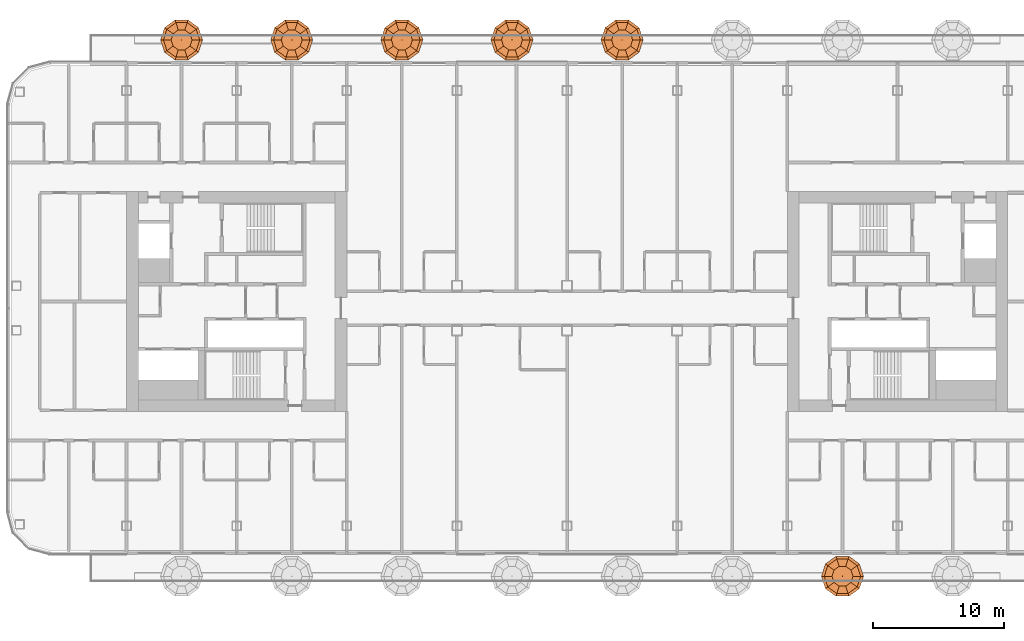
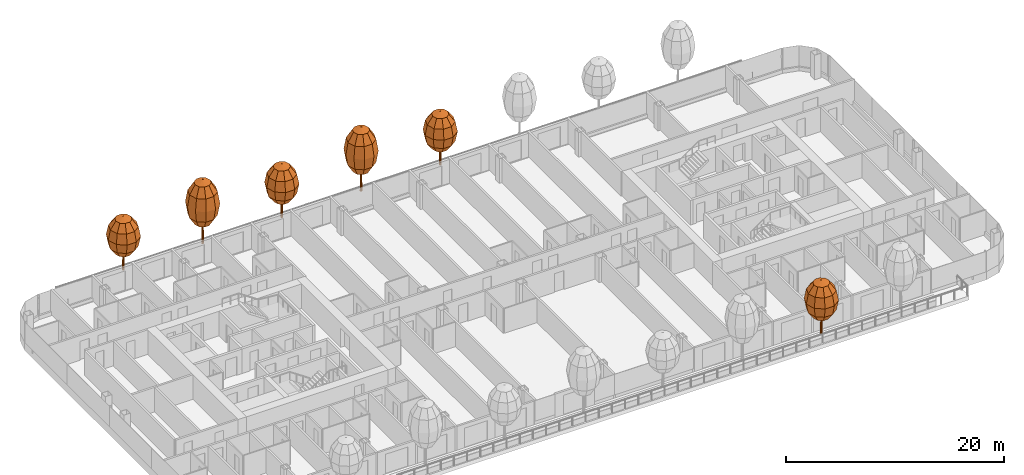
# One storey, part 31 of 32: 6 geographic elements.
"""IFC4 building model written with IfcOpenShell, lengths in metres."""

import ifcopenshell
import ifcopenshell.guid

model = None  # the IFC model being written
_history = None  # IfcOwnerHistory: only IFC2X3 demands one
_inside = {}  # id of a spatial element -> (the spatial element, [elements in it])
_under = {}  # id of a project, library or spatial element -> (it, [spatial elements below it])
_declared = {}  # id of a project -> (the project, [libraries it declares])
_typed = {}  # id of a type object -> (the type object, [elements of that type])
_made_of = {}  # id of a material, layer set ... -> (it, [elements and type objects made of it])


def new_model(schema):
    """Start an empty IFC model of exactly this schema.

    Asked for "IFC4X3", IfcOpenShell would pick the latest addendum, in which some entities
    have other attributes; the version numbers below select the first issue.
    IFC2X3 requires an IfcOwnerHistory on every rooted entity: one is made here for all.
    """
    global model, _history
    if schema == "IFC4X3":
        model = ifcopenshell.file(schema_version=(4, 3, 0, 0))
    else:
        model = ifcopenshell.file(schema=schema)
    _inside.clear()
    _under.clear()
    _declared.clear()
    _typed.clear()
    _made_of.clear()
    _history = None
    if model.schema == "IFC2X3":
        org = make("IfcOrganization", Name="unknown")
        user = make(
            "IfcPersonAndOrganization",
            ThePerson=make("IfcPerson", FamilyName="unknown"),
            TheOrganization=org,
        )
        app = make(
            "IfcApplication",
            ApplicationDeveloper=org,
            Version="unknown",
            ApplicationFullName="unknown",
            ApplicationIdentifier="unknown",
        )
        _history = make(
            "IfcOwnerHistory",
            OwningUser=user,
            OwningApplication=app,
            ChangeAction="ADDED",
            CreationDate=0,
        )
    return model


def make(cls, **values):
    """One entity of the class cls with the attributes given. An attribute that is None is left unset."""
    return model.create_entity(
        cls, **{name: value for name, value in values.items() if value is not None}
    )


def rooted(cls, **values):
    """An entity with a GlobalId (a new one), such as an element, a storey or a relation."""
    return make(cls, GlobalId=ifcopenshell.guid.new(), OwnerHistory=_history, **values)


def si_unit(unit_type, name, prefix=None):
    """IfcSIUnit, for example si_unit("LENGTHUNIT", "METRE", prefix="MILLI")."""
    return make("IfcSIUnit", UnitType=unit_type, Prefix=prefix, Name=name)


def assignment(units):
    """IfcUnitAssignment: the units of a project."""
    return None if units is None else make("IfcUnitAssignment", Units=units)


def point(xyz):
    """IfcCartesianPoint."""
    return None if xyz is None else make("IfcCartesianPoint", Coordinates=xyz)


def direction(xyz):
    """IfcDirection."""
    return None if xyz is None else make("IfcDirection", DirectionRatios=xyz)


def frame(location, z_axis=None, x_axis=None):
    """IfcAxis2Placement3D, a coordinate frame: its origin and axes. An axis left out is left unset."""
    return make(
        "IfcAxis2Placement3D",
        Location=point(location),
        Axis=direction(z_axis),
        RefDirection=direction(x_axis),
    )


def origin():
    """The frame at (0, 0, 0) with its axes left unset."""
    return frame((0.0, 0.0, 0.0))


def place(relative_to, where):
    """IfcLocalPlacement: puts the frame where relative to a parent placement (None: the world)."""
    return make(
        "IfcLocalPlacement", PlacementRelTo=relative_to, RelativePlacement=where
    )


def context(
    kind, dimensions, precision=None, world=None, true_north=None, identifier=None
):
    """IfcGeometricRepresentationContext, for example the 3D "Model" context."""
    return make(
        "IfcGeometricRepresentationContext",
        ContextIdentifier=identifier,
        ContextType=kind,
        CoordinateSpaceDimension=dimensions,
        Precision=precision,
        WorldCoordinateSystem=world,
        TrueNorth=true_north,
    )


def subcontext(parent, identifier, kind, view, scale=None):
    """IfcGeometricRepresentationSubContext, for example "Body" below "Model"."""
    return make(
        "IfcGeometricRepresentationSubContext",
        ContextIdentifier=identifier,
        ContextType=kind,
        ParentContext=parent,
        TargetScale=scale,
        TargetView=view,
    )


def project(units=None, contexts=None):
    """IfcProject with its units and contexts."""
    return rooted(
        "IfcProject",
        Name="project",
        RepresentationContexts=contexts,
        UnitsInContext=assignment(units),
    )


def spatial(cls, under=None, at=None, **own):
    """A site, building, storey or space (cls), placed at a placement, below another one or the project."""
    s = rooted(cls, ObjectPlacement=at, **own)
    if under is not None:
        _under.setdefault(under.id(), (under, []))[1].append(s)
    return s


def point_list(points):
    """IfcCartesianPointList2D or 3D."""
    cls = (
        "IfcCartesianPointList2D" if len(points[0]) == 2 else "IfcCartesianPointList3D"
    )
    return make(cls, CoordList=points)


def triangles(points, corners, closed=None, point_numbers=None):
    """IfcTriangulatedFaceSet: each triangle names its three corners, points numbered from 1."""
    return make(
        "IfcTriangulatedFaceSet",
        Coordinates=point_list(points),
        Closed=closed,
        CoordIndex=corners,
        PnIndex=point_numbers,
    )


def shape(context_of_items, identifier, shape_type, items):
    """IfcShapeRepresentation: the items that make up one representation, for example the "Body"."""
    return make(
        "IfcShapeRepresentation",
        ContextOfItems=context_of_items,
        RepresentationIdentifier=identifier,
        RepresentationType=shape_type,
        Items=items,
    )


def material(Name=None, Category=None):
    """IfcMaterial."""
    return make("IfcMaterial", Name=Name, Category=Category)


def made_of(thing, what):
    """Note that an element or type object is made of a material, layer set ...; save() writes the relation."""
    if what is not None:
        _made_of.setdefault(what.id(), (what, []))[1].append(thing)
    return thing


def type_object(cls, material=None, **own):
    """A type object (cls), such as IfcWallType, which elements share."""
    return made_of(rooted(cls, **own), material)


def element(
    cls,
    number,
    at=None,
    inside=None,
    cuts=None,
    type_object=None,
    material=None,
    context=None,
    identifier="Body",
    shape_type=None,
    held_by="IfcProductDefinitionShape",
    body=None,
    shapes=None,
    **own,
):
    """One element of the class cls, such as IfcWall. Its Tag is "e" and its number.

    at: its placement. inside: the storey or other place that contains it. cuts: it is an
    opening in that element (IfcRelVoidsElement). A single representation is given by context,
    identifier, shape_type and body (its items); several are given by shapes. held_by: the class
    of the entity that holds the representations. save() writes the other relations.
    """
    e = rooted(cls, Tag="e%d" % number, ObjectPlacement=at, **own)
    if body is not None:
        shapes = [shape(context, identifier, shape_type, body)]
    if shapes is not None:
        e.Representation = make(held_by, Representations=shapes)
    if inside is not None:
        _inside.setdefault(inside.id(), (inside, []))[1].append(e)
    if cuts is not None:
        rooted(
            "IfcRelVoidsElement", RelatingBuildingElement=cuts, RelatedOpeningElement=e
        )
    if type_object is not None:
        _typed.setdefault(type_object.id(), (type_object, []))[1].append(e)
    return made_of(e, material)


def aggregate(whole, parts):
    """IfcRelAggregates: a whole, such as a stair, and the parts it consists of."""
    return rooted("IfcRelAggregates", RelatingObject=whole, RelatedObjects=parts)


def save(model, path):
    """Write the relations noted so far, then the file.

    IfcRelAggregates (storeys below a building ...), IfcRelContainedInSpatialStructure (elements
    in a storey), IfcRelDefinesByType, IfcRelAssociatesMaterial and IfcRelDeclares: one each for
    every whole, place, type object, material and project.
    """
    for whole, parts in _under.values():
        aggregate(whole, parts)
    for where, things in _inside.values():
        rooted(
            "IfcRelContainedInSpatialStructure",
            RelatedElements=things,
            RelatingStructure=where,
        )
    for kind, things in _typed.values():
        rooted("IfcRelDefinesByType", RelatedObjects=things, RelatingType=kind)
    for what, things in _made_of.values():
        rooted("IfcRelAssociatesMaterial", RelatedObjects=things, RelatingMaterial=what)
    for by, libraries in _declared.values():
        rooted("IfcRelDeclares", RelatingContext=by, RelatedDefinitions=libraries)
    model.write(path)


model = new_model("IFC4")

# Units and contexts
model_context = context("Model", 3, precision=1e-05, world=origin(), true_north=direction((0.0, 1.0)))
body_context = subcontext(model_context, "Body", "Model", "MODEL_VIEW")
ifc_project = project(units=[si_unit("LENGTHUNIT", "METRE"), si_unit("AREAUNIT", "SQUARE_METRE"), si_unit("VOLUMEUNIT", "CUBIC_METRE"), si_unit("PLANEANGLEUNIT", "RADIAN"), si_unit("MASSUNIT", "GRAM", prefix="KILO")], contexts=[model_context])

# Site, building, storey
site_placement = place(None, origin())
site = spatial("IfcSite", under=ifc_project, at=site_placement, CompositionType="ELEMENT")
building_placement = place(site_placement, origin())
building = spatial("IfcBuilding", under=site, at=building_placement, Name="Hakoniwa Tower and Hamabe Station Hall", CompositionType="ELEMENT")
storey_placement = place(building_placement, frame((0.0, 0.0, 150.199951171875)))
storey = spatial("IfcBuildingStorey", under=building, at=storey_placement, Name="L42", CompositionType="ELEMENT", Elevation=150.199951171875)

# Geographic elements
ifc_material_1 = material(Name="Tree foliage")
geographic_element_type_1 = type_object("IfcGeographicElementType", Name="Japanese maple 7.2 m", PredefinedType="USERDEFINED", material=ifc_material_1)
geographic_element_1_placement = place(storey_placement, frame((-21.0, 19.949951171875, 0.900146484375)))
element("IfcGeographicElement", 1, at=geographic_element_1_placement, inside=storey, type_object=geographic_element_type_1, Name="Japanese maple 7-2 m", ObjectType="TREE", PredefinedType="USERDEFINED", context=body_context, shape_type="Tessellation", body=[
    triangles([(0.125, 0.0, 0.0), (0.08837890625, 0.08837890625, 0.0), (0.0, 0.125, 0.0), (-0.08837890625, 0.08837890625, 0.0), (-0.125, 0.0, 0.0), (-0.08837890625, -0.08837890625, 0.0), (0.0, -0.125, 0.0), (0.08837890625, -0.08837890625, 0.0), (0.074951171875, 0.0, 4.348876953125), (0.052978515625, 0.052978515625, 4.348876953125), (0.0, 0.074951171875, 4.348876953125), (-0.052978515625, 0.052978515625, 4.348876953125), (-0.074951171875, 0.0, 4.348876953125), (-0.052978515625, -0.052978515625, 4.348876953125), (0.0, -0.074951171875, 4.348876953125), (0.052978515625, -0.052978515625, 4.348876953125), (0.0, 0.0, 0.0), (0.0, 0.0, 4.348876953125)], [[1, 2, 10], [1, 10, 9], [17, 2, 1], [18, 9, 10], [2, 3, 11], [2, 11, 10], [17, 3, 2], [18, 10, 11], [3, 4, 12], [3, 12, 11], [17, 4, 3], [18, 11, 12], [4, 5, 13], [4, 13, 12], [17, 5, 4], [18, 12, 13], [5, 6, 14], [5, 14, 13], [17, 6, 5], [18, 13, 14], [6, 7, 15], [6, 15, 14], [17, 7, 6], [18, 14, 15], [7, 8, 16], [7, 16, 15], [17, 8, 7], [18, 15, 16], [8, 1, 9], [8, 9, 16], [17, 1, 8], [18, 16, 9]], closed=True),
    triangles([(0.0, 0.0, 2.015869140625), (0.800048828125, 0.0, 2.36328125), (0.647216796875, 0.47021484375, 2.36328125), (0.247314453125, 0.7607421875, 2.36328125), (-0.247314453125, 0.7607421875, 2.36328125), (-0.647216796875, 0.47021484375, 2.36328125), (-0.800048828125, 0.0, 2.36328125), (-0.647216796875, -0.47021484375, 2.36328125), (-0.247314453125, -0.7607421875, 2.36328125), (0.247314453125, -0.7607421875, 2.36328125), (0.647216796875, -0.47021484375, 2.36328125), (1.385498046875, 0.0, 3.31201171875), (1.12109375, 0.814453125, 3.31201171875), (0.42822265625, 1.31787109375, 3.31201171875), (-0.42822265625, 1.31787109375, 3.31201171875), (-1.12109375, 0.814453125, 3.31201171875), (-1.385498046875, 0.0, 3.31201171875), (-1.12109375, -0.814453125, 3.31201171875), (-0.42822265625, -1.31787109375, 3.31201171875), (0.42822265625, -1.31787109375, 3.31201171875), (1.12109375, -0.814453125, 3.31201171875), (1.60009765625, 0.0, 4.60791015625), (1.29443359375, 0.9404296875, 4.60791015625), (0.494384765625, 1.521728515625, 4.60791015625), (-0.494384765625, 1.521728515625, 4.60791015625), (-1.29443359375, 0.9404296875, 4.60791015625), (-1.60009765625, 0.0, 4.60791015625), (-1.29443359375, -0.9404296875, 4.60791015625), (-0.494384765625, -1.521728515625, 4.60791015625), (0.494384765625, -1.521728515625, 4.60791015625), (1.29443359375, -0.9404296875, 4.60791015625), (1.385498046875, 0.0, 5.904052734375), (1.12109375, 0.814453125, 5.904052734375), (0.42822265625, 1.31787109375, 5.904052734375), (-0.42822265625, 1.31787109375, 5.904052734375), (-1.12109375, 0.814453125, 5.904052734375), (-1.385498046875, 0.0, 5.904052734375), (-1.12109375, -0.814453125, 5.904052734375), (-0.42822265625, -1.31787109375, 5.904052734375), (0.42822265625, -1.31787109375, 5.904052734375), (1.12109375, -0.814453125, 5.904052734375), (0.800048828125, 0.0, 6.852783203125), (0.647216796875, 0.47021484375, 6.852783203125), (0.247314453125, 0.7607421875, 6.852783203125), (-0.247314453125, 0.7607421875, 6.852783203125), (-0.647216796875, 0.47021484375, 6.852783203125), (-0.800048828125, 0.0, 6.852783203125), (-0.647216796875, -0.47021484375, 6.852783203125), (-0.247314453125, -0.7607421875, 6.852783203125), (0.247314453125, -0.7607421875, 6.852783203125), (0.647216796875, -0.47021484375, 6.852783203125), (0.0, 0.0, 7.199951171875)], [[1, 3, 2], [1, 4, 3], [1, 5, 4], [1, 6, 5], [1, 7, 6], [1, 8, 7], [1, 9, 8], [1, 10, 9], [1, 11, 10], [1, 2, 11], [2, 3, 13], [2, 13, 12], [3, 4, 14], [3, 14, 13], [4, 5, 15], [4, 15, 14], [5, 6, 16], [5, 16, 15], [6, 7, 17], [6, 17, 16], [7, 8, 18], [7, 18, 17], [8, 9, 19], [8, 19, 18], [9, 10, 20], [9, 20, 19], [10, 11, 21], [10, 21, 20], [11, 2, 12], [11, 12, 21], [12, 13, 23], [12, 23, 22], [13, 14, 24], [13, 24, 23], [14, 15, 25], [14, 25, 24], [15, 16, 26], [15, 26, 25], [16, 17, 27], [16, 27, 26], [17, 18, 28], [17, 28, 27], [18, 19, 29], [18, 29, 28], [19, 20, 30], [19, 30, 29], [20, 21, 31], [20, 31, 30], [21, 12, 22], [21, 22, 31], [22, 23, 33], [22, 33, 32], [23, 24, 34], [23, 34, 33], [24, 25, 35], [24, 35, 34], [25, 26, 36], [25, 36, 35], [26, 27, 37], [26, 37, 36], [27, 28, 38], [27, 38, 37], [28, 29, 39], [28, 39, 38], [29, 30, 40], [29, 40, 39], [30, 31, 41], [30, 41, 40], [31, 22, 32], [31, 32, 41], [32, 33, 43], [32, 43, 42], [33, 34, 44], [33, 44, 43], [34, 35, 45], [34, 45, 44], [35, 36, 46], [35, 46, 45], [36, 37, 47], [36, 47, 46], [37, 38, 48], [37, 48, 47], [38, 39, 49], [38, 49, 48], [39, 40, 50], [39, 50, 49], [40, 41, 51], [40, 51, 50], [41, 32, 42], [41, 42, 51], [52, 42, 43], [52, 43, 44], [52, 44, 45], [52, 45, 46], [52, 46, 47], [52, 47, 48], [52, 48, 49], [52, 49, 50], [52, 50, 51], [52, 51, 42]], closed=True),
])
geographic_element_2_placement = place(storey_placement, frame((-4.199951171875, 19.949951171875, 0.900146484375)))
element("IfcGeographicElement", 2, at=geographic_element_2_placement, inside=storey, type_object=geographic_element_type_1, Name="Japanese maple 7-2 m", ObjectType="TREE", PredefinedType="USERDEFINED", context=body_context, shape_type="Tessellation", body=[
    triangles([(0.125, 0.0, 0.0), (0.08837890625, 0.08837890625, 0.0), (0.0, 0.125, 0.0), (-0.08837890625, 0.08837890625, 0.0), (-0.125, 0.0, 0.0), (-0.08837890625, -0.08837890625, 0.0), (0.0, -0.125, 0.0), (0.08837890625, -0.08837890625, 0.0), (0.074951171875, 0.0, 4.348876953125), (0.052978515625, 0.052978515625, 4.348876953125), (0.0, 0.074951171875, 4.348876953125), (-0.052978515625, 0.052978515625, 4.348876953125), (-0.074951171875, 0.0, 4.348876953125), (-0.052978515625, -0.052978515625, 4.348876953125), (0.0, -0.074951171875, 4.348876953125), (0.052978515625, -0.052978515625, 4.348876953125), (0.0, 0.0, 0.0), (0.0, 0.0, 4.348876953125)], [[1, 2, 10], [1, 10, 9], [17, 2, 1], [18, 9, 10], [2, 3, 11], [2, 11, 10], [17, 3, 2], [18, 10, 11], [3, 4, 12], [3, 12, 11], [17, 4, 3], [18, 11, 12], [4, 5, 13], [4, 13, 12], [17, 5, 4], [18, 12, 13], [5, 6, 14], [5, 14, 13], [17, 6, 5], [18, 13, 14], [6, 7, 15], [6, 15, 14], [17, 7, 6], [18, 14, 15], [7, 8, 16], [7, 16, 15], [17, 8, 7], [18, 15, 16], [8, 1, 9], [8, 9, 16], [17, 1, 8], [18, 16, 9]], closed=True),
    triangles([(0.0, 0.0, 2.015869140625), (0.800048828125, 0.0, 2.36328125), (0.647216796875, 0.47021484375, 2.36328125), (0.247314453125, 0.7607421875, 2.36328125), (-0.247314453125, 0.7607421875, 2.36328125), (-0.647216796875, 0.47021484375, 2.36328125), (-0.800048828125, 0.0, 2.36328125), (-0.647216796875, -0.47021484375, 2.36328125), (-0.247314453125, -0.7607421875, 2.36328125), (0.247314453125, -0.7607421875, 2.36328125), (0.647216796875, -0.47021484375, 2.36328125), (1.385498046875, 0.0, 3.31201171875), (1.12109375, 0.814453125, 3.31201171875), (0.42822265625, 1.31787109375, 3.31201171875), (-0.42822265625, 1.31787109375, 3.31201171875), (-1.12109375, 0.814453125, 3.31201171875), (-1.385498046875, 0.0, 3.31201171875), (-1.12109375, -0.814453125, 3.31201171875), (-0.42822265625, -1.31787109375, 3.31201171875), (0.42822265625, -1.31787109375, 3.31201171875), (1.12109375, -0.814453125, 3.31201171875), (1.60009765625, 0.0, 4.60791015625), (1.29443359375, 0.9404296875, 4.60791015625), (0.494384765625, 1.521728515625, 4.60791015625), (-0.494384765625, 1.521728515625, 4.60791015625), (-1.29443359375, 0.9404296875, 4.60791015625), (-1.60009765625, 0.0, 4.60791015625), (-1.29443359375, -0.9404296875, 4.60791015625), (-0.494384765625, -1.521728515625, 4.60791015625), (0.494384765625, -1.521728515625, 4.60791015625), (1.29443359375, -0.9404296875, 4.60791015625), (1.385498046875, 0.0, 5.904052734375), (1.12109375, 0.814453125, 5.904052734375), (0.42822265625, 1.31787109375, 5.904052734375), (-0.42822265625, 1.31787109375, 5.904052734375), (-1.12109375, 0.814453125, 5.904052734375), (-1.385498046875, 0.0, 5.904052734375), (-1.12109375, -0.814453125, 5.904052734375), (-0.42822265625, -1.31787109375, 5.904052734375), (0.42822265625, -1.31787109375, 5.904052734375), (1.12109375, -0.814453125, 5.904052734375), (0.800048828125, 0.0, 6.852783203125), (0.647216796875, 0.47021484375, 6.852783203125), (0.247314453125, 0.7607421875, 6.852783203125), (-0.247314453125, 0.7607421875, 6.852783203125), (-0.647216796875, 0.47021484375, 6.852783203125), (-0.800048828125, 0.0, 6.852783203125), (-0.647216796875, -0.47021484375, 6.852783203125), (-0.247314453125, -0.7607421875, 6.852783203125), (0.247314453125, -0.7607421875, 6.852783203125), (0.647216796875, -0.47021484375, 6.852783203125), (0.0, 0.0, 7.199951171875)], [[1, 3, 2], [1, 4, 3], [1, 5, 4], [1, 6, 5], [1, 7, 6], [1, 8, 7], [1, 9, 8], [1, 10, 9], [1, 11, 10], [1, 2, 11], [2, 3, 13], [2, 13, 12], [3, 4, 14], [3, 14, 13], [4, 5, 15], [4, 15, 14], [5, 6, 16], [5, 16, 15], [6, 7, 17], [6, 17, 16], [7, 8, 18], [7, 18, 17], [8, 9, 19], [8, 19, 18], [9, 10, 20], [9, 20, 19], [10, 11, 21], [10, 21, 20], [11, 2, 12], [11, 12, 21], [12, 13, 23], [12, 23, 22], [13, 14, 24], [13, 24, 23], [14, 15, 25], [14, 25, 24], [15, 16, 26], [15, 26, 25], [16, 17, 27], [16, 27, 26], [17, 18, 28], [17, 28, 27], [18, 19, 29], [18, 29, 28], [19, 20, 30], [19, 30, 29], [20, 21, 31], [20, 31, 30], [21, 12, 22], [21, 22, 31], [22, 23, 33], [22, 33, 32], [23, 24, 34], [23, 34, 33], [24, 25, 35], [24, 35, 34], [25, 26, 36], [25, 36, 35], [26, 27, 37], [26, 37, 36], [27, 28, 38], [27, 38, 37], [28, 29, 39], [28, 39, 38], [29, 30, 40], [29, 40, 39], [30, 31, 41], [30, 41, 40], [31, 22, 32], [31, 32, 41], [32, 33, 43], [32, 43, 42], [33, 34, 44], [33, 44, 43], [34, 35, 45], [34, 45, 44], [35, 36, 46], [35, 46, 45], [36, 37, 47], [36, 47, 46], [37, 38, 48], [37, 48, 47], [38, 39, 49], [38, 49, 48], [39, 40, 50], [39, 50, 49], [40, 41, 51], [40, 51, 50], [41, 32, 42], [41, 42, 51], [52, 42, 43], [52, 43, 44], [52, 44, 45], [52, 45, 46], [52, 46, 47], [52, 47, 48], [52, 48, 49], [52, 49, 50], [52, 50, 51], [52, 51, 42]], closed=True),
])
ifc_material_2 = material(Name="Tree foliage")
geographic_element_type_2 = type_object("IfcGeographicElementType", Name="Osmanthus 6.0 m", PredefinedType="USERDEFINED", material=ifc_material_2)
geographic_element_3_placement = place(storey_placement, frame((-29.39990234375, 19.949951171875, 0.900146484375)))
element("IfcGeographicElement", 3, at=geographic_element_3_placement, inside=storey, type_object=geographic_element_type_2, Name="Osmanthus 6-0 m", ObjectType="TREE", PredefinedType="USERDEFINED", context=body_context, shape_type="Tessellation", body=[
    triangles([(0.125, 0.0, 0.0), (0.08837890625, 0.08837890625, 0.0), (0.0, 0.125, 0.0), (-0.08837890625, 0.08837890625, 0.0), (-0.125, 0.0, 0.0), (-0.08837890625, -0.08837890625, 0.0), (0.0, -0.125, 0.0), (0.08837890625, -0.08837890625, 0.0), (0.074951171875, 0.0, 3.6240234375), (0.052978515625, 0.052978515625, 3.6240234375), (0.0, 0.074951171875, 3.6240234375), (-0.052978515625, 0.052978515625, 3.6240234375), (-0.074951171875, 0.0, 3.6240234375), (-0.052978515625, -0.052978515625, 3.6240234375), (0.0, -0.074951171875, 3.6240234375), (0.052978515625, -0.052978515625, 3.6240234375), (0.0, 0.0, 0.0), (0.0, 0.0, 3.6240234375)], [[1, 2, 10], [1, 10, 9], [17, 2, 1], [18, 9, 10], [2, 3, 11], [2, 11, 10], [17, 3, 2], [18, 10, 11], [3, 4, 12], [3, 12, 11], [17, 4, 3], [18, 11, 12], [4, 5, 13], [4, 13, 12], [17, 5, 4], [18, 12, 13], [5, 6, 14], [5, 14, 13], [17, 6, 5], [18, 13, 14], [6, 7, 15], [6, 15, 14], [17, 7, 6], [18, 14, 15], [7, 8, 16], [7, 16, 15], [17, 8, 7], [18, 15, 16], [8, 1, 9], [8, 9, 16], [17, 1, 8], [18, 16, 9]], closed=True),
    triangles([(0.0, 0.0, 1.679931640625), (0.800048828125, 0.0, 1.969482421875), (0.647216796875, 0.47021484375, 1.969482421875), (0.247314453125, 0.7607421875, 1.969482421875), (-0.247314453125, 0.7607421875, 1.969482421875), (-0.647216796875, 0.47021484375, 1.969482421875), (-0.800048828125, 0.0, 1.969482421875), (-0.647216796875, -0.47021484375, 1.969482421875), (-0.247314453125, -0.7607421875, 1.969482421875), (0.247314453125, -0.7607421875, 1.969482421875), (0.647216796875, -0.47021484375, 1.969482421875), (1.385498046875, 0.0, 2.760009765625), (1.12109375, 0.814453125, 2.760009765625), (0.42822265625, 1.31787109375, 2.760009765625), (-0.42822265625, 1.31787109375, 2.760009765625), (-1.12109375, 0.814453125, 2.760009765625), (-1.385498046875, 0.0, 2.760009765625), (-1.12109375, -0.814453125, 2.760009765625), (-0.42822265625, -1.31787109375, 2.760009765625), (0.42822265625, -1.31787109375, 2.760009765625), (1.12109375, -0.814453125, 2.760009765625), (1.60009765625, 0.0, 3.840087890625), (1.29443359375, 0.9404296875, 3.840087890625), (0.494384765625, 1.521728515625, 3.840087890625), (-0.494384765625, 1.521728515625, 3.840087890625), (-1.29443359375, 0.9404296875, 3.840087890625), (-1.60009765625, 0.0, 3.840087890625), (-1.29443359375, -0.9404296875, 3.840087890625), (-0.494384765625, -1.521728515625, 3.840087890625), (0.494384765625, -1.521728515625, 3.840087890625), (1.29443359375, -0.9404296875, 3.840087890625), (1.385498046875, 0.0, 4.919921875), (1.12109375, 0.814453125, 4.919921875), (0.42822265625, 1.31787109375, 4.919921875), (-0.42822265625, 1.31787109375, 4.919921875), (-1.12109375, 0.814453125, 4.919921875), (-1.385498046875, 0.0, 4.919921875), (-1.12109375, -0.814453125, 4.919921875), (-0.42822265625, -1.31787109375, 4.919921875), (0.42822265625, -1.31787109375, 4.919921875), (1.12109375, -0.814453125, 4.919921875), (0.800048828125, 0.0, 5.710693359375), (0.647216796875, 0.47021484375, 5.710693359375), (0.247314453125, 0.7607421875, 5.710693359375), (-0.247314453125, 0.7607421875, 5.710693359375), (-0.647216796875, 0.47021484375, 5.710693359375), (-0.800048828125, 0.0, 5.710693359375), (-0.647216796875, -0.47021484375, 5.710693359375), (-0.247314453125, -0.7607421875, 5.710693359375), (0.247314453125, -0.7607421875, 5.710693359375), (0.647216796875, -0.47021484375, 5.710693359375), (0.0, 0.0, 6.0)], [[1, 3, 2], [1, 4, 3], [1, 5, 4], [1, 6, 5], [1, 7, 6], [1, 8, 7], [1, 9, 8], [1, 10, 9], [1, 11, 10], [1, 2, 11], [2, 3, 13], [2, 13, 12], [3, 4, 14], [3, 14, 13], [4, 5, 15], [4, 15, 14], [5, 6, 16], [5, 16, 15], [6, 7, 17], [6, 17, 16], [7, 8, 18], [7, 18, 17], [8, 9, 19], [8, 19, 18], [9, 10, 20], [9, 20, 19], [10, 11, 21], [10, 21, 20], [11, 2, 12], [11, 12, 21], [12, 13, 23], [12, 23, 22], [13, 14, 24], [13, 24, 23], [14, 15, 25], [14, 25, 24], [15, 16, 26], [15, 26, 25], [16, 17, 27], [16, 27, 26], [17, 18, 28], [17, 28, 27], [18, 19, 29], [18, 29, 28], [19, 20, 30], [19, 30, 29], [20, 21, 31], [20, 31, 30], [21, 12, 22], [21, 22, 31], [22, 23, 33], [22, 33, 32], [23, 24, 34], [23, 34, 33], [24, 25, 35], [24, 35, 34], [25, 26, 36], [25, 36, 35], [26, 27, 37], [26, 37, 36], [27, 28, 38], [27, 38, 37], [28, 29, 39], [28, 39, 38], [29, 30, 40], [29, 40, 39], [30, 31, 41], [30, 41, 40], [31, 22, 32], [31, 32, 41], [32, 33, 43], [32, 43, 42], [33, 34, 44], [33, 44, 43], [34, 35, 45], [34, 45, 44], [35, 36, 46], [35, 46, 45], [36, 37, 47], [36, 47, 46], [37, 38, 48], [37, 48, 47], [38, 39, 49], [38, 49, 48], [39, 40, 50], [39, 50, 49], [40, 41, 51], [40, 51, 50], [41, 32, 42], [41, 42, 51], [52, 42, 43], [52, 43, 44], [52, 44, 45], [52, 45, 46], [52, 46, 47], [52, 47, 48], [52, 48, 49], [52, 49, 50], [52, 50, 51], [52, 51, 42]], closed=True),
])
geographic_element_4_placement = place(storey_placement, frame((-12.60009765625, 19.949951171875, 0.900146484375)))
element("IfcGeographicElement", 4, at=geographic_element_4_placement, inside=storey, type_object=geographic_element_type_2, Name="Osmanthus 6-0 m", ObjectType="TREE", PredefinedType="USERDEFINED", context=body_context, shape_type="Tessellation", body=[
    triangles([(0.125, 0.0, 0.0), (0.08837890625, 0.08837890625, 0.0), (0.0, 0.125, 0.0), (-0.08837890625, 0.08837890625, 0.0), (-0.125, 0.0, 0.0), (-0.08837890625, -0.08837890625, 0.0), (0.0, -0.125, 0.0), (0.08837890625, -0.08837890625, 0.0), (0.074951171875, 0.0, 3.6240234375), (0.052978515625, 0.052978515625, 3.6240234375), (0.0, 0.074951171875, 3.6240234375), (-0.052978515625, 0.052978515625, 3.6240234375), (-0.074951171875, 0.0, 3.6240234375), (-0.052978515625, -0.052978515625, 3.6240234375), (0.0, -0.074951171875, 3.6240234375), (0.052978515625, -0.052978515625, 3.6240234375), (0.0, 0.0, 0.0), (0.0, 0.0, 3.6240234375)], [[1, 2, 10], [1, 10, 9], [17, 2, 1], [18, 9, 10], [2, 3, 11], [2, 11, 10], [17, 3, 2], [18, 10, 11], [3, 4, 12], [3, 12, 11], [17, 4, 3], [18, 11, 12], [4, 5, 13], [4, 13, 12], [17, 5, 4], [18, 12, 13], [5, 6, 14], [5, 14, 13], [17, 6, 5], [18, 13, 14], [6, 7, 15], [6, 15, 14], [17, 7, 6], [18, 14, 15], [7, 8, 16], [7, 16, 15], [17, 8, 7], [18, 15, 16], [8, 1, 9], [8, 9, 16], [17, 1, 8], [18, 16, 9]], closed=True),
    triangles([(0.0, 0.0, 1.679931640625), (0.800048828125, 0.0, 1.969482421875), (0.647216796875, 0.47021484375, 1.969482421875), (0.247314453125, 0.7607421875, 1.969482421875), (-0.247314453125, 0.7607421875, 1.969482421875), (-0.647216796875, 0.47021484375, 1.969482421875), (-0.800048828125, 0.0, 1.969482421875), (-0.647216796875, -0.47021484375, 1.969482421875), (-0.247314453125, -0.7607421875, 1.969482421875), (0.247314453125, -0.7607421875, 1.969482421875), (0.647216796875, -0.47021484375, 1.969482421875), (1.385498046875, 0.0, 2.760009765625), (1.12109375, 0.814453125, 2.760009765625), (0.42822265625, 1.31787109375, 2.760009765625), (-0.42822265625, 1.31787109375, 2.760009765625), (-1.12109375, 0.814453125, 2.760009765625), (-1.385498046875, 0.0, 2.760009765625), (-1.12109375, -0.814453125, 2.760009765625), (-0.42822265625, -1.31787109375, 2.760009765625), (0.42822265625, -1.31787109375, 2.760009765625), (1.12109375, -0.814453125, 2.760009765625), (1.60009765625, 0.0, 3.840087890625), (1.29443359375, 0.9404296875, 3.840087890625), (0.494384765625, 1.521728515625, 3.840087890625), (-0.494384765625, 1.521728515625, 3.840087890625), (-1.29443359375, 0.9404296875, 3.840087890625), (-1.60009765625, 0.0, 3.840087890625), (-1.29443359375, -0.9404296875, 3.840087890625), (-0.494384765625, -1.521728515625, 3.840087890625), (0.494384765625, -1.521728515625, 3.840087890625), (1.29443359375, -0.9404296875, 3.840087890625), (1.385498046875, 0.0, 4.919921875), (1.12109375, 0.814453125, 4.919921875), (0.42822265625, 1.31787109375, 4.919921875), (-0.42822265625, 1.31787109375, 4.919921875), (-1.12109375, 0.814453125, 4.919921875), (-1.385498046875, 0.0, 4.919921875), (-1.12109375, -0.814453125, 4.919921875), (-0.42822265625, -1.31787109375, 4.919921875), (0.42822265625, -1.31787109375, 4.919921875), (1.12109375, -0.814453125, 4.919921875), (0.800048828125, 0.0, 5.710693359375), (0.647216796875, 0.47021484375, 5.710693359375), (0.247314453125, 0.7607421875, 5.710693359375), (-0.247314453125, 0.7607421875, 5.710693359375), (-0.647216796875, 0.47021484375, 5.710693359375), (-0.800048828125, 0.0, 5.710693359375), (-0.647216796875, -0.47021484375, 5.710693359375), (-0.247314453125, -0.7607421875, 5.710693359375), (0.247314453125, -0.7607421875, 5.710693359375), (0.647216796875, -0.47021484375, 5.710693359375), (0.0, 0.0, 6.0)], [[1, 3, 2], [1, 4, 3], [1, 5, 4], [1, 6, 5], [1, 7, 6], [1, 8, 7], [1, 9, 8], [1, 10, 9], [1, 11, 10], [1, 2, 11], [2, 3, 13], [2, 13, 12], [3, 4, 14], [3, 14, 13], [4, 5, 15], [4, 15, 14], [5, 6, 16], [5, 16, 15], [6, 7, 17], [6, 17, 16], [7, 8, 18], [7, 18, 17], [8, 9, 19], [8, 19, 18], [9, 10, 20], [9, 20, 19], [10, 11, 21], [10, 21, 20], [11, 2, 12], [11, 12, 21], [12, 13, 23], [12, 23, 22], [13, 14, 24], [13, 24, 23], [14, 15, 25], [14, 25, 24], [15, 16, 26], [15, 26, 25], [16, 17, 27], [16, 27, 26], [17, 18, 28], [17, 28, 27], [18, 19, 29], [18, 29, 28], [19, 20, 30], [19, 30, 29], [20, 21, 31], [20, 31, 30], [21, 12, 22], [21, 22, 31], [22, 23, 33], [22, 33, 32], [23, 24, 34], [23, 34, 33], [24, 25, 35], [24, 35, 34], [25, 26, 36], [25, 36, 35], [26, 27, 37], [26, 37, 36], [27, 28, 38], [27, 38, 37], [28, 29, 39], [28, 39, 38], [29, 30, 40], [29, 40, 39], [30, 31, 41], [30, 41, 40], [31, 22, 32], [31, 32, 41], [32, 33, 43], [32, 43, 42], [33, 34, 44], [33, 44, 43], [34, 35, 45], [34, 45, 44], [35, 36, 46], [35, 46, 45], [36, 37, 47], [36, 47, 46], [37, 38, 48], [37, 48, 47], [38, 39, 49], [38, 49, 48], [39, 40, 50], [39, 50, 49], [40, 41, 51], [40, 51, 50], [41, 32, 42], [41, 42, 51], [52, 42, 43], [52, 43, 44], [52, 44, 45], [52, 45, 46], [52, 46, 47], [52, 47, 48], [52, 48, 49], [52, 49, 50], [52, 50, 51], [52, 51, 42]], closed=True),
])
geographic_element_5_placement = place(storey_placement, frame((4.199951171875, 19.949951171875, 0.900146484375)))
element("IfcGeographicElement", 5, at=geographic_element_5_placement, inside=storey, type_object=geographic_element_type_2, Name="Osmanthus 6-0 m", ObjectType="TREE", PredefinedType="USERDEFINED", context=body_context, shape_type="Tessellation", body=[
    triangles([(0.125, 0.0, 0.0), (0.08837890625, 0.08837890625, 0.0), (0.0, 0.125, 0.0), (-0.08837890625, 0.08837890625, 0.0), (-0.125, 0.0, 0.0), (-0.08837890625, -0.08837890625, 0.0), (0.0, -0.125, 0.0), (0.08837890625, -0.08837890625, 0.0), (0.074951171875, 0.0, 3.6240234375), (0.052978515625, 0.052978515625, 3.6240234375), (0.0, 0.074951171875, 3.6240234375), (-0.052978515625, 0.052978515625, 3.6240234375), (-0.074951171875, 0.0, 3.6240234375), (-0.052978515625, -0.052978515625, 3.6240234375), (0.0, -0.074951171875, 3.6240234375), (0.052978515625, -0.052978515625, 3.6240234375), (0.0, 0.0, 0.0), (0.0, 0.0, 3.6240234375)], [[1, 2, 10], [1, 10, 9], [17, 2, 1], [18, 9, 10], [2, 3, 11], [2, 11, 10], [17, 3, 2], [18, 10, 11], [3, 4, 12], [3, 12, 11], [17, 4, 3], [18, 11, 12], [4, 5, 13], [4, 13, 12], [17, 5, 4], [18, 12, 13], [5, 6, 14], [5, 14, 13], [17, 6, 5], [18, 13, 14], [6, 7, 15], [6, 15, 14], [17, 7, 6], [18, 14, 15], [7, 8, 16], [7, 16, 15], [17, 8, 7], [18, 15, 16], [8, 1, 9], [8, 9, 16], [17, 1, 8], [18, 16, 9]], closed=True),
    triangles([(0.0, 0.0, 1.679931640625), (0.800048828125, 0.0, 1.969482421875), (0.647216796875, 0.47021484375, 1.969482421875), (0.247314453125, 0.7607421875, 1.969482421875), (-0.247314453125, 0.7607421875, 1.969482421875), (-0.647216796875, 0.47021484375, 1.969482421875), (-0.800048828125, 0.0, 1.969482421875), (-0.647216796875, -0.47021484375, 1.969482421875), (-0.247314453125, -0.7607421875, 1.969482421875), (0.247314453125, -0.7607421875, 1.969482421875), (0.647216796875, -0.47021484375, 1.969482421875), (1.385498046875, 0.0, 2.760009765625), (1.12109375, 0.814453125, 2.760009765625), (0.42822265625, 1.31787109375, 2.760009765625), (-0.42822265625, 1.31787109375, 2.760009765625), (-1.12109375, 0.814453125, 2.760009765625), (-1.385498046875, 0.0, 2.760009765625), (-1.12109375, -0.814453125, 2.760009765625), (-0.42822265625, -1.31787109375, 2.760009765625), (0.42822265625, -1.31787109375, 2.760009765625), (1.12109375, -0.814453125, 2.760009765625), (1.60009765625, 0.0, 3.840087890625), (1.29443359375, 0.9404296875, 3.840087890625), (0.494384765625, 1.521728515625, 3.840087890625), (-0.494384765625, 1.521728515625, 3.840087890625), (-1.29443359375, 0.9404296875, 3.840087890625), (-1.60009765625, 0.0, 3.840087890625), (-1.29443359375, -0.9404296875, 3.840087890625), (-0.494384765625, -1.521728515625, 3.840087890625), (0.494384765625, -1.521728515625, 3.840087890625), (1.29443359375, -0.9404296875, 3.840087890625), (1.385498046875, 0.0, 4.919921875), (1.12109375, 0.814453125, 4.919921875), (0.42822265625, 1.31787109375, 4.919921875), (-0.42822265625, 1.31787109375, 4.919921875), (-1.12109375, 0.814453125, 4.919921875), (-1.385498046875, 0.0, 4.919921875), (-1.12109375, -0.814453125, 4.919921875), (-0.42822265625, -1.31787109375, 4.919921875), (0.42822265625, -1.31787109375, 4.919921875), (1.12109375, -0.814453125, 4.919921875), (0.800048828125, 0.0, 5.710693359375), (0.647216796875, 0.47021484375, 5.710693359375), (0.247314453125, 0.7607421875, 5.710693359375), (-0.247314453125, 0.7607421875, 5.710693359375), (-0.647216796875, 0.47021484375, 5.710693359375), (-0.800048828125, 0.0, 5.710693359375), (-0.647216796875, -0.47021484375, 5.710693359375), (-0.247314453125, -0.7607421875, 5.710693359375), (0.247314453125, -0.7607421875, 5.710693359375), (0.647216796875, -0.47021484375, 5.710693359375), (0.0, 0.0, 6.0)], [[1, 3, 2], [1, 4, 3], [1, 5, 4], [1, 6, 5], [1, 7, 6], [1, 8, 7], [1, 9, 8], [1, 10, 9], [1, 11, 10], [1, 2, 11], [2, 3, 13], [2, 13, 12], [3, 4, 14], [3, 14, 13], [4, 5, 15], [4, 15, 14], [5, 6, 16], [5, 16, 15], [6, 7, 17], [6, 17, 16], [7, 8, 18], [7, 18, 17], [8, 9, 19], [8, 19, 18], [9, 10, 20], [9, 20, 19], [10, 11, 21], [10, 21, 20], [11, 2, 12], [11, 12, 21], [12, 13, 23], [12, 23, 22], [13, 14, 24], [13, 24, 23], [14, 15, 25], [14, 25, 24], [15, 16, 26], [15, 26, 25], [16, 17, 27], [16, 27, 26], [17, 18, 28], [17, 28, 27], [18, 19, 29], [18, 29, 28], [19, 20, 30], [19, 30, 29], [20, 21, 31], [20, 31, 30], [21, 12, 22], [21, 22, 31], [22, 23, 33], [22, 33, 32], [23, 24, 34], [23, 34, 33], [24, 25, 35], [24, 35, 34], [25, 26, 36], [25, 36, 35], [26, 27, 37], [26, 37, 36], [27, 28, 38], [27, 38, 37], [28, 29, 39], [28, 39, 38], [29, 30, 40], [29, 40, 39], [30, 31, 41], [30, 41, 40], [31, 22, 32], [31, 32, 41], [32, 33, 43], [32, 43, 42], [33, 34, 44], [33, 44, 43], [34, 35, 45], [34, 45, 44], [35, 36, 46], [35, 46, 45], [36, 37, 47], [36, 47, 46], [37, 38, 48], [37, 48, 47], [38, 39, 49], [38, 49, 48], [39, 40, 50], [39, 50, 49], [40, 41, 51], [40, 51, 50], [41, 32, 42], [41, 42, 51], [52, 42, 43], [52, 43, 44], [52, 44, 45], [52, 45, 46], [52, 46, 47], [52, 47, 48], [52, 48, 49], [52, 49, 50], [52, 50, 51], [52, 51, 42]], closed=True),
])
geographic_element_6_placement = place(storey_placement, frame((21.0, -20.949951171875, 0.900146484375)))
element("IfcGeographicElement", 6, at=geographic_element_6_placement, inside=storey, type_object=geographic_element_type_2, Name="Osmanthus 6-0 m", ObjectType="TREE", PredefinedType="USERDEFINED", context=body_context, shape_type="Tessellation", body=[
    triangles([(0.125, 0.0, 0.0), (0.08837890625, 0.08837890625, 0.0), (0.0, 0.125, 0.0), (-0.08837890625, 0.08837890625, 0.0), (-0.125, 0.0, 0.0), (-0.08837890625, -0.08837890625, 0.0), (0.0, -0.125, 0.0), (0.08837890625, -0.08837890625, 0.0), (0.074951171875, 0.0, 3.6240234375), (0.052978515625, 0.052978515625, 3.6240234375), (0.0, 0.074951171875, 3.6240234375), (-0.052978515625, 0.052978515625, 3.6240234375), (-0.074951171875, 0.0, 3.6240234375), (-0.052978515625, -0.052978515625, 3.6240234375), (0.0, -0.074951171875, 3.6240234375), (0.052978515625, -0.052978515625, 3.6240234375), (0.0, 0.0, 0.0), (0.0, 0.0, 3.6240234375)], [[1, 2, 10], [1, 10, 9], [17, 2, 1], [18, 9, 10], [2, 3, 11], [2, 11, 10], [17, 3, 2], [18, 10, 11], [3, 4, 12], [3, 12, 11], [17, 4, 3], [18, 11, 12], [4, 5, 13], [4, 13, 12], [17, 5, 4], [18, 12, 13], [5, 6, 14], [5, 14, 13], [17, 6, 5], [18, 13, 14], [6, 7, 15], [6, 15, 14], [17, 7, 6], [18, 14, 15], [7, 8, 16], [7, 16, 15], [17, 8, 7], [18, 15, 16], [8, 1, 9], [8, 9, 16], [17, 1, 8], [18, 16, 9]], closed=True),
    triangles([(0.0, 0.0, 1.679931640625), (0.800048828125, 0.0, 1.969482421875), (0.647216796875, 0.47021484375, 1.969482421875), (0.247314453125, 0.7607421875, 1.969482421875), (-0.247314453125, 0.7607421875, 1.969482421875), (-0.647216796875, 0.47021484375, 1.969482421875), (-0.800048828125, 0.0, 1.969482421875), (-0.647216796875, -0.47021484375, 1.969482421875), (-0.247314453125, -0.7607421875, 1.969482421875), (0.247314453125, -0.7607421875, 1.969482421875), (0.647216796875, -0.47021484375, 1.969482421875), (1.385498046875, 0.0, 2.760009765625), (1.12109375, 0.814453125, 2.760009765625), (0.42822265625, 1.31787109375, 2.760009765625), (-0.42822265625, 1.31787109375, 2.760009765625), (-1.12109375, 0.814453125, 2.760009765625), (-1.385498046875, 0.0, 2.760009765625), (-1.12109375, -0.814453125, 2.760009765625), (-0.42822265625, -1.31787109375, 2.760009765625), (0.42822265625, -1.31787109375, 2.760009765625), (1.12109375, -0.814453125, 2.760009765625), (1.60009765625, 0.0, 3.840087890625), (1.29443359375, 0.9404296875, 3.840087890625), (0.494384765625, 1.521728515625, 3.840087890625), (-0.494384765625, 1.521728515625, 3.840087890625), (-1.29443359375, 0.9404296875, 3.840087890625), (-1.60009765625, 0.0, 3.840087890625), (-1.29443359375, -0.9404296875, 3.840087890625), (-0.494384765625, -1.521728515625, 3.840087890625), (0.494384765625, -1.521728515625, 3.840087890625), (1.29443359375, -0.9404296875, 3.840087890625), (1.385498046875, 0.0, 4.919921875), (1.12109375, 0.814453125, 4.919921875), (0.42822265625, 1.31787109375, 4.919921875), (-0.42822265625, 1.31787109375, 4.919921875), (-1.12109375, 0.814453125, 4.919921875), (-1.385498046875, 0.0, 4.919921875), (-1.12109375, -0.814453125, 4.919921875), (-0.42822265625, -1.31787109375, 4.919921875), (0.42822265625, -1.31787109375, 4.919921875), (1.12109375, -0.814453125, 4.919921875), (0.800048828125, 0.0, 5.710693359375), (0.647216796875, 0.47021484375, 5.710693359375), (0.247314453125, 0.7607421875, 5.710693359375), (-0.247314453125, 0.7607421875, 5.710693359375), (-0.647216796875, 0.47021484375, 5.710693359375), (-0.800048828125, 0.0, 5.710693359375), (-0.647216796875, -0.47021484375, 5.710693359375), (-0.247314453125, -0.7607421875, 5.710693359375), (0.247314453125, -0.7607421875, 5.710693359375), (0.647216796875, -0.47021484375, 5.710693359375), (0.0, 0.0, 6.0)], [[1, 3, 2], [1, 4, 3], [1, 5, 4], [1, 6, 5], [1, 7, 6], [1, 8, 7], [1, 9, 8], [1, 10, 9], [1, 11, 10], [1, 2, 11], [2, 3, 13], [2, 13, 12], [3, 4, 14], [3, 14, 13], [4, 5, 15], [4, 15, 14], [5, 6, 16], [5, 16, 15], [6, 7, 17], [6, 17, 16], [7, 8, 18], [7, 18, 17], [8, 9, 19], [8, 19, 18], [9, 10, 20], [9, 20, 19], [10, 11, 21], [10, 21, 20], [11, 2, 12], [11, 12, 21], [12, 13, 23], [12, 23, 22], [13, 14, 24], [13, 24, 23], [14, 15, 25], [14, 25, 24], [15, 16, 26], [15, 26, 25], [16, 17, 27], [16, 27, 26], [17, 18, 28], [17, 28, 27], [18, 19, 29], [18, 29, 28], [19, 20, 30], [19, 30, 29], [20, 21, 31], [20, 31, 30], [21, 12, 22], [21, 22, 31], [22, 23, 33], [22, 33, 32], [23, 24, 34], [23, 34, 33], [24, 25, 35], [24, 35, 34], [25, 26, 36], [25, 36, 35], [26, 27, 37], [26, 37, 36], [27, 28, 38], [27, 38, 37], [28, 29, 39], [28, 39, 38], [29, 30, 40], [29, 40, 39], [30, 31, 41], [30, 41, 40], [31, 22, 32], [31, 32, 41], [32, 33, 43], [32, 43, 42], [33, 34, 44], [33, 44, 43], [34, 35, 45], [34, 45, 44], [35, 36, 46], [35, 46, 45], [36, 37, 47], [36, 47, 46], [37, 38, 48], [37, 48, 47], [38, 39, 49], [38, 49, 48], [39, 40, 50], [39, 50, 49], [40, 41, 51], [40, 51, 50], [41, 32, 42], [41, 42, 51], [52, 42, 43], [52, 43, 44], [52, 44, 45], [52, 45, 46], [52, 46, 47], [52, 47, 48], [52, 48, 49], [52, 49, 50], [52, 50, 51], [52, 51, 42]], closed=True),
])

save(model, "model.ifc")
